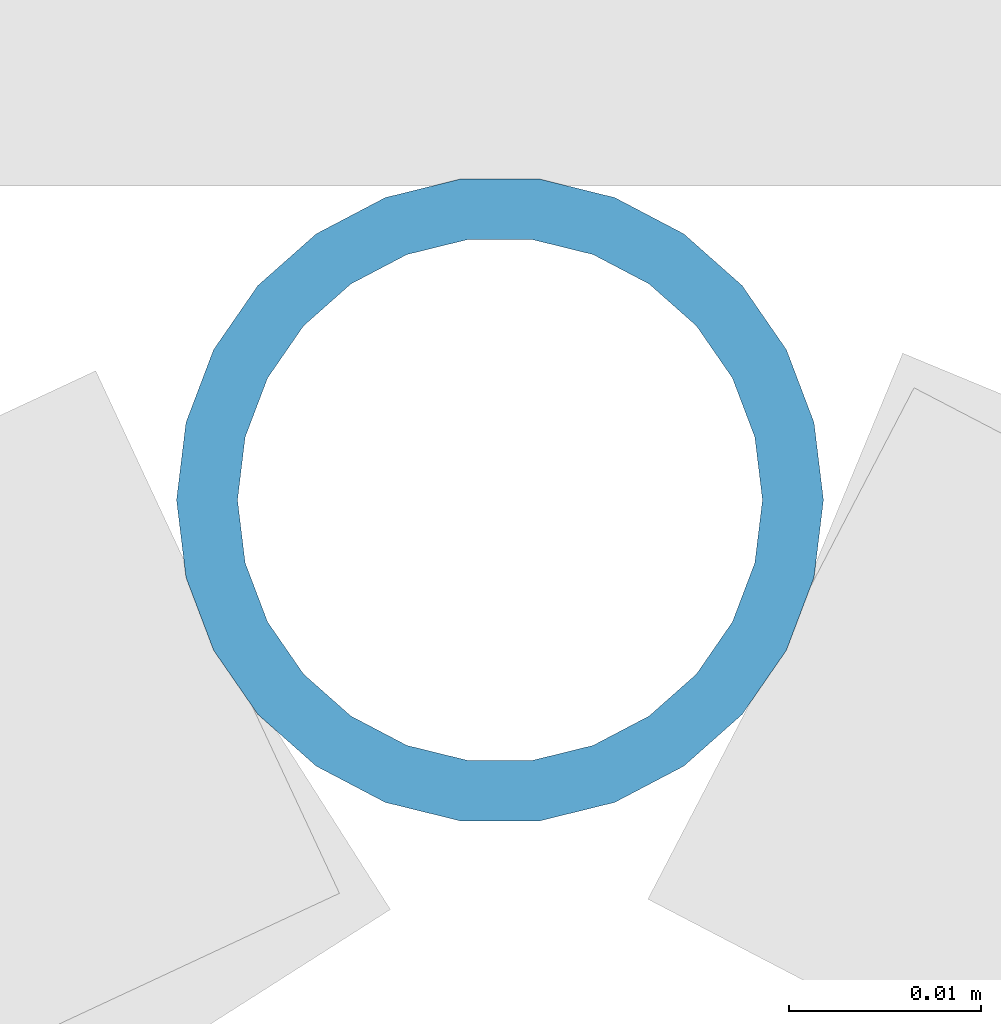
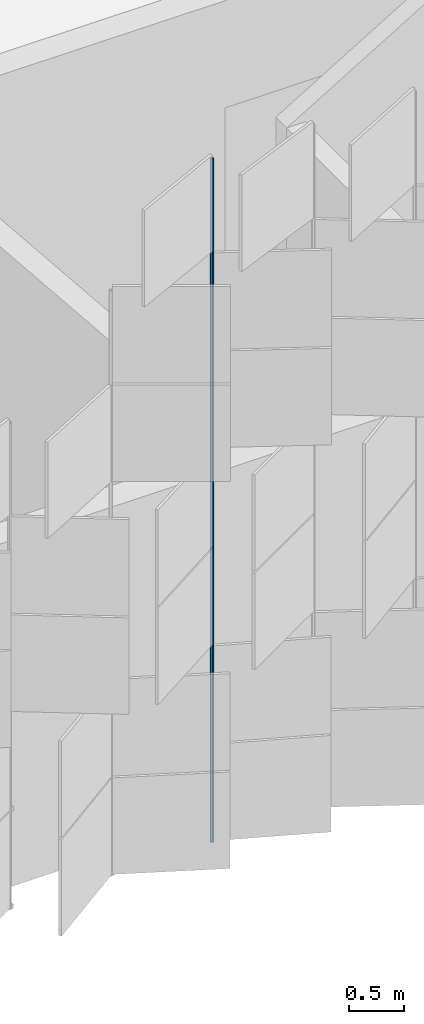
# One storey, part 157 of 483: 1 discrete accessory.
"""IFC4 building model written with IfcOpenShell, lengths in metres."""

from ifc_helpers import new_model, si_unit, direction, frame, origin, origin_2d, place, context, subcontext, project, spatial, hollow_circle, extrude, material, material_profile, profile_set, type_object, element, save


model = new_model("IFC4")

# Units and contexts
model_context = context("Model", 3, precision=1e-05, world=origin(), true_north=direction((0.0, 1.0)))
body_context = subcontext(model_context, "Body", "Model", "MODEL_VIEW")
ifc_project = project(units=[si_unit("LENGTHUNIT", "METRE"), si_unit("AREAUNIT", "SQUARE_METRE"), si_unit("VOLUMEUNIT", "CUBIC_METRE"), si_unit("PLANEANGLEUNIT", "RADIAN"), si_unit("MASSUNIT", "GRAM", prefix="KILO")], contexts=[model_context])

# Site, building, storey
site_placement = place(None, origin())
site = spatial("IfcSite", under=ifc_project, at=site_placement, CompositionType="ELEMENT")
building_placement = place(site_placement, origin())
building = spatial("IfcBuilding", under=site, at=building_placement, Name="Parallax Yard Mobility Hub", CompositionType="ELEMENT")
storey_placement = place(building_placement, frame((0.0, 0.0, 13.199951171875)))
storey = spatial("IfcBuildingStorey", under=building, at=storey_placement, Name="L04", CompositionType="ELEMENT", Elevation=13.199951171875)

# Discrete accessory
ifc_material = material(Name="Steel ASTM A500 Gr C, hot-dip galvanised", Category="steel")
ifc_material_profile = material_profile(ifc_material, hollow_circle(Radius=0.016845703125, WallThickness=0.003173828125, at=origin_2d()), Name="CHS 33.7x3.2")
ifc_profile_set = profile_set([ifc_material_profile], Name="Steel ASTM A500 Gr C, hot-dip galvanised")
discrete_accessory_type = type_object("IfcDiscreteAccessoryType", Name="Hinge post CHS 33.7x3.2", PredefinedType="BRACKET", material=ifc_profile_set)
discrete_accessory_placement = place(storey_placement, frame((129.63134765625, 112.199951171875, 0.0), z_axis=(0.0, 0.0, 1.0), x_axis=(1.0, 0.0, 0.0)))
element("IfcDiscreteAccessory", 1, at=discrete_accessory_placement, inside=storey, type_object=discrete_accessory_type, Name="Hinge post bay 13.3 level L04", PredefinedType="BRACKET", context=body_context, shape_type="SweptSolid", body=[
    extrude(hollow_circle(Radius=0.016845703125, WallThickness=0.003173828125, at=origin_2d()), origin(), (0.0, 0.0, 1.0), 7.650146484375),
])

save(model, "model.ifc")
